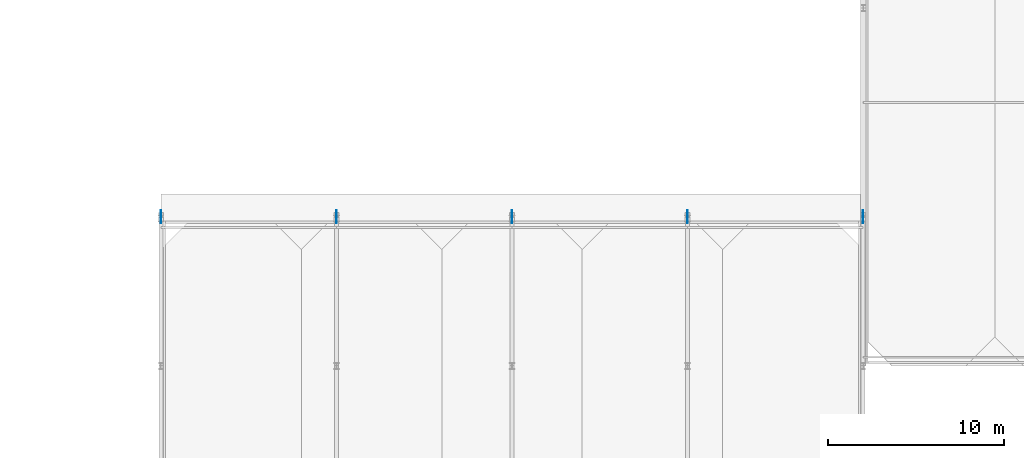
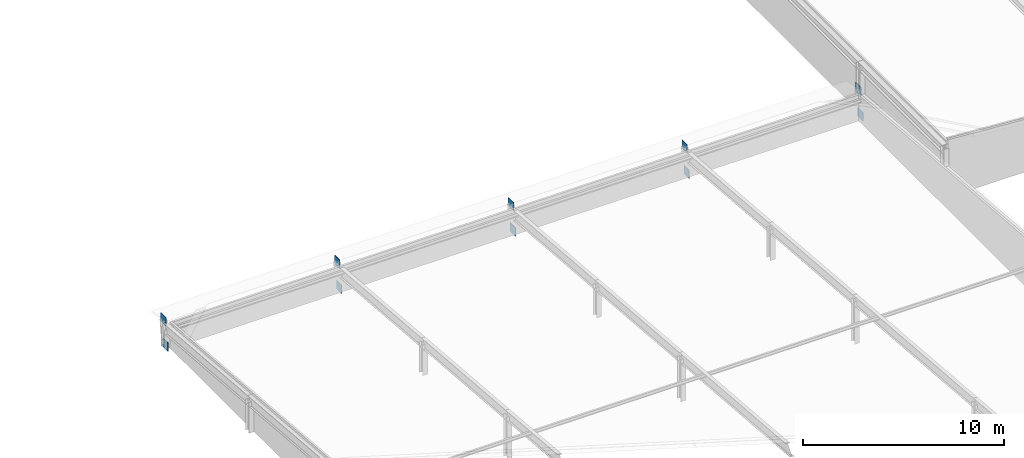
# One storey, part 55 of 79: 10 plates.
"""IFC4 building model written with IfcOpenShell, lengths in metres."""

from ifc_helpers import new_model, si_unit, direction, frame, origin, origin_2d, place, context, subcontext, project, spatial, rectangle, extrude, material, layer, layer_set, type_object, element, save


model = new_model("IFC4")

# Units and contexts
model_context = context("Model", 3, precision=1e-05, world=origin(), true_north=direction((0.0, 1.0)))
body_context = subcontext(model_context, "Body", "Model", "MODEL_VIEW")
ifc_project = project(units=[si_unit("LENGTHUNIT", "METRE"), si_unit("AREAUNIT", "SQUARE_METRE"), si_unit("VOLUMEUNIT", "CUBIC_METRE"), si_unit("PLANEANGLEUNIT", "RADIAN"), si_unit("MASSUNIT", "GRAM", prefix="KILO")], contexts=[model_context])

# Site, building, storey
site_placement = place(None, origin())
site = spatial("IfcSite", under=ifc_project, at=site_placement, CompositionType="ELEMENT")
building_placement = place(site_placement, origin())
building = spatial("IfcBuilding", under=site, at=building_placement, Name="Zereglee Splitstone Museum", CompositionType="ELEMENT")
storey_placement = place(building_placement, frame((0.0, 0.0, 9.0)))
storey = spatial("IfcBuildingStorey", under=building, at=storey_placement, Name="L02", CompositionType="ELEMENT", Elevation=9.0)

# Plates
ifc_material = material(Name="Steel S355J2", Category="steel")
ifc_layer = layer(ifc_material, 0.030029296875)
ifc_layer_set = layer_set([ifc_layer], Name="Steel S355J2")
plate_type = type_object("IfcPlateType", Name="NP-04", PredefinedType="SHEET", material=ifc_layer_set)
for number, where, z_axis, x_axis, name in (
    (1, (256.0, 38.39990234375, -0.110107421875), (0.0, 0.0, 1.0), (1.0, 0.0, 0.0), "Chhajja Corbel Gusset Plate RF-V5"),
    (2, (256.0, 38.60009765625, 1.31005859375), (0.0, 0.0, 1.0), (1.0, 0.0, 0.0), "Chhajja Corbel Gusset Plate RF-V5"),
    (3, (266.0, 38.39990234375, -0.110107421875), (0.0, 0.0, 1.0), (1.0, 0.0, 0.0), "Chhajja Corbel Gusset Plate RF-V5"),
    (4, (266.0, 38.60009765625, 1.31005859375), (0.0, 0.0, 1.0), (1.0, 0.0, 0.0), "Chhajja Corbel Gusset Plate RF-V5"),
    (5, (276.0, 38.39990234375, -0.110107421875), (0.0, 0.0, 1.0), (1.0, 0.0, 0.0), "Chhajja Corbel Gusset Plate RF-V5"),
    (6, (276.0, 38.60009765625, 1.31005859375), (0.0, 0.0, 1.0), (1.0, 0.0, 0.0), "Chhajja Corbel Gusset Plate RF-V5"),
    (7, (286.0, 38.39990234375, -0.110107421875), (0.0, 0.0, 1.0), (1.0, 0.0, 0.0), "Chhajja Corbel Gusset Plate RF-V5"),
    (8, (286.0, 38.60009765625, 1.31005859375), (0.0, 0.0, 1.0), (1.0, 0.0, 0.0), "Chhajja Corbel Gusset Plate RF-V5"),
    (9, (296.0, 38.39990234375, -0.110107421875), (0.0, 0.0, 1.0), (1.0, 0.0, 0.0), "Chhajja Corbel Gusset Plate RF-V5"),
    (10, (296.0, 38.60009765625, 1.31005859375), (0.0, 0.0, 1.0), (1.0, 0.0, 0.0), "Chhajja Corbel Gusset Plate RF-V5"),
):
    element("IfcPlate", number, at=place(storey_placement, frame(where, z_axis=z_axis, x_axis=x_axis)), inside=storey, type_object=plate_type, Name=name, PredefinedType="SHEET", context=body_context, shape_type="SweptSolid", body=[
        extrude(rectangle(XDim=0.030029296875, YDim=0.52001953125, at=origin_2d()), origin(), (0.0, 0.0, 1.0), 0.52001953125),
    ])

save(model, "model.ifc")
